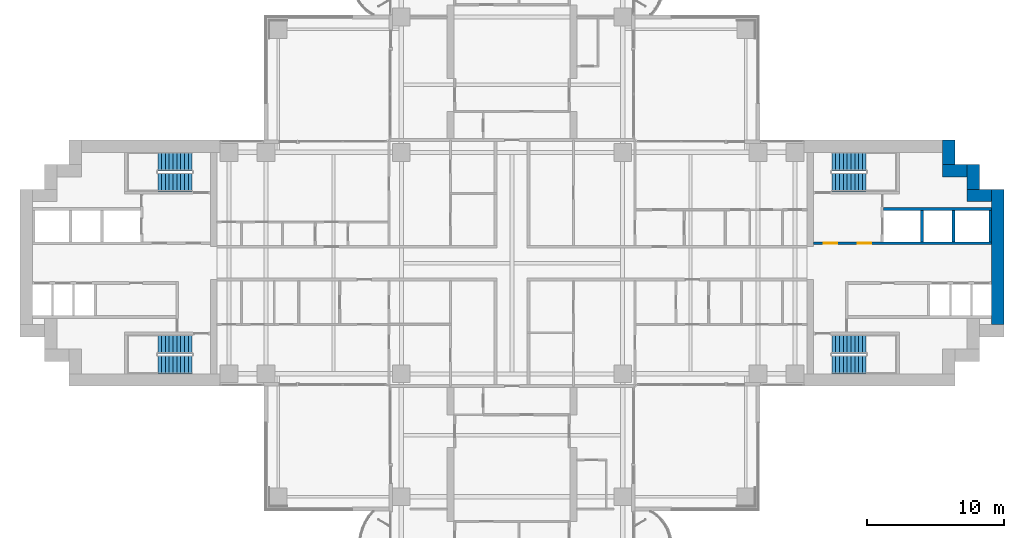
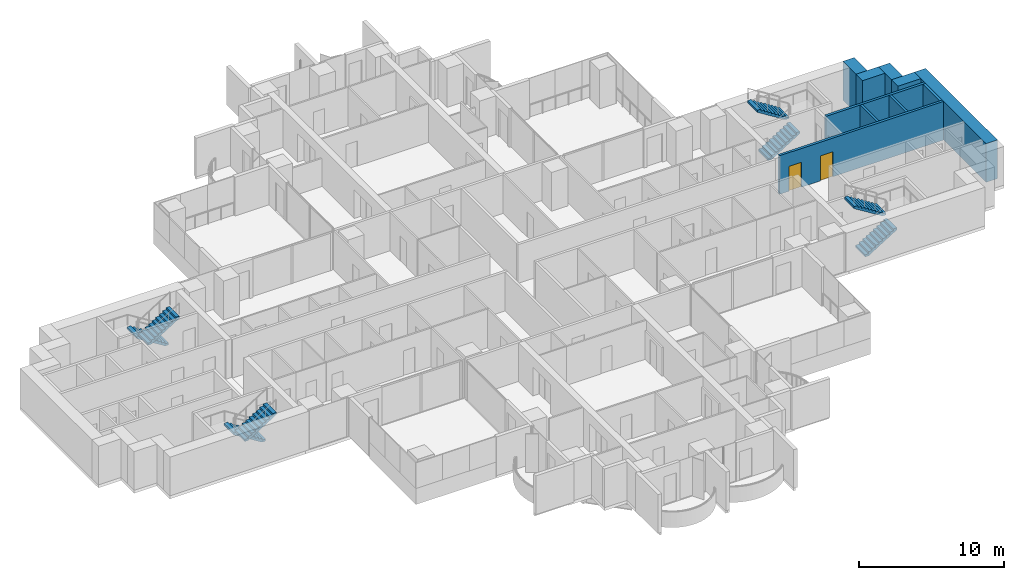
# One storey, part 16 of 21: 10 walls, 8 stair flights, 2 doors, 2 openings, 4 elements without a shape of their own.
"""IFC4 building model written with IfcOpenShell, lengths in metres."""

from ifc_helpers import new_model, si_unit, direction, frame, frame_2d, origin, place, context, subcontext, project, spatial, polyline, rectangle, outline, extrude, material, layer, layer_set, type_object, element, fill, aggregate, save


model = new_model("IFC4")

# Units and contexts
model_context = context("Model", 3, precision=1e-05, world=origin(), true_north=direction((0.0, 1.0)))
body_context = subcontext(model_context, "Body", "Model", "MODEL_VIEW")
ifc_project = project(units=[si_unit("LENGTHUNIT", "METRE"), si_unit("AREAUNIT", "SQUARE_METRE"), si_unit("VOLUMEUNIT", "CUBIC_METRE"), si_unit("PLANEANGLEUNIT", "RADIAN"), si_unit("MASSUNIT", "GRAM", prefix="KILO")], contexts=[model_context])

# Site, building, storey
site_placement = place(None, origin())
site = spatial("IfcSite", under=ifc_project, at=site_placement, CompositionType="ELEMENT")
building_placement = place(site_placement, origin())
building = spatial("IfcBuilding", under=site, at=building_placement, Name="Perihelion Cross Residences", CompositionType="ELEMENT")
storey_placement = place(building_placement, frame((0.0, 0.0, 54.0)))
storey = spatial("IfcBuildingStorey", under=building, at=storey_placement, Name="L10", CompositionType="ELEMENT", Elevation=54.0)

# Walls
ifc_material_1 = material(Name="Concrete C60/75", Category="concrete")
ifc_layer_1 = layer(ifc_material_1, 0.89990234375)
ifc_layer_set_1 = layer_set([ifc_layer_1], Name="Core wall, outer 900")
wall_type_1 = type_object("IfcWallType", Name="Core wall, outer 900", PredefinedType="SHEAR", material=ifc_layer_set_1)
wall_1_placement = place(storey_placement, frame((35.550048828125, -4.5, 0.0), z_axis=(0.0, 0.0, 1.0), x_axis=(0.0, 1.0, 0.0)))
element("IfcWall", 1, at=wall_1_placement, inside=storey, type_object=wall_type_1, Name="East core core wall, outer", PredefinedType="SHEAR", context=body_context, shape_type="SweptSolid", body=[
    extrude(rectangle(XDim=9.89990234375, YDim=0.89990234375, at=frame_2d((4.949951171875, 0.0))), origin(), (0.0, 0.0, 1.0), 3.25),
])
for number, where, z_axis, x_axis, name in (
    (2, (33.300048828125, 4.949951171875, 0.0), (0.0, 0.0, 1.0), (1.0, 0.0, 0.0), "East core core wall, outer"),
    (3, (33.75, 5.39990234375, 0.0), (0.0, 0.0, 1.0), (0.0, 1.0, 0.0), "East core core wall, outer"),
    (4, (31.5, 6.75, 0.0), (0.0, 0.0, 1.0), (1.0, 0.0, 0.0), "East core core wall, outer"),
    (5, (31.949951171875, 7.199951171875, 0.0), (0.0, 0.0, 1.0), (0.0, 1.0, 0.0), "East core core wall, outer"),
):
    element("IfcWall", number, at=place(storey_placement, frame(where, z_axis=z_axis, x_axis=x_axis)), inside=storey, type_object=wall_type_1, Name=name, PredefinedType="SHEAR", context=body_context, shape_type="SweptSolid", body=[
        extrude(rectangle(XDim=1.800048828125, YDim=0.89990234375, at=frame_2d((0.89990234375, 0.0))), origin(), (0.0, 0.0, 1.0), 3.25),
    ])

# Wall, openings, doors
ifc_material_2 = material(Name="Concrete C50/60", Category="concrete")
ifc_layer_2 = layer(ifc_material_2, 0.199951171875)
ifc_layer_set_2 = layer_set([ifc_layer_2], Name="Shaft wall 200")
wall_type_2 = type_object("IfcWallType", Name="Shaft wall 200", PredefinedType="SOLIDWALL", material=ifc_layer_set_2)
wall_2_placement = place(storey_placement, frame((22.050048828125, 1.449951171875, 0.0), z_axis=(0.0, 0.0, 1.0), x_axis=(1.0, 0.0, 0.0)))
wall_2 = element("IfcWall", 6, at=wall_2_placement, inside=storey, type_object=wall_type_2, Name="East core shaft wall", PredefinedType="SOLIDWALL", context=body_context, shape_type="SweptSolid", body=[
    extrude(rectangle(XDim=13.050048828125, YDim=0.199951171875, at=frame_2d((6.52490234375, 0.0))), origin(), (0.0, 0.0, 1.0), 3.25),
])
opening_1_placement = place(wall_2_placement, frame((0.75, 0.0, 0.0)))
opening_1 = element("IfcOpeningElement", 7, at=opening_1_placement, cuts=wall_2, Name="Opening L10.C07", PredefinedType="OPENING", context=body_context, shape_type="SweptSolid", body=[
    extrude(rectangle(XDim=1.0, YDim=2.10009765625, at=frame_2d((0.5, 1.050048828125))), frame((0.0, 0.10986328125, 0.0), z_axis=(0.0, -1.0, 0.0), x_axis=(1.0, 0.0, 0.0)), (0.0, 0.0, 1.0), 0.219970703125),
])
opening_2_placement = place(wall_2_placement, frame((3.25, 0.0, 0.0)))
opening_2 = element("IfcOpeningElement", 8, at=opening_2_placement, cuts=wall_2, Name="Opening L10.C09", PredefinedType="OPENING", context=body_context, shape_type="SweptSolid", body=[
    extrude(rectangle(XDim=1.0, YDim=2.10009765625, at=frame_2d((0.5, 1.050048828125))), frame((0.0, 0.10986328125, 0.0), z_axis=(0.0, -1.0, 0.0), x_axis=(1.0, 0.0, 0.0)), (0.0, 0.0, 1.0), 0.219970703125),
])
ifc_material_3 = material(Name="Steel, powder coated", Category="steel")
door_type = type_object("IfcDoorType", Name="Lobby door 1000", OperationType="SINGLE_SWING_LEFT", PredefinedType="DOOR", material=ifc_material_3)
door_1_placement = place(opening_1_placement, origin())
door_1 = element("IfcDoor", 9, at=door_1_placement, inside=storey, type_object=door_type, Name="East core firefighting lobby door", OperationType="SINGLE_SWING_LEFT", OverallHeight=2.10009765625, OverallWidth=1.0, PredefinedType="DOOR", context=body_context, shape_type="SweptSolid", body=[
    extrude(rectangle(XDim=1.0, YDim=2.10009765625, at=frame_2d((0.5, 1.050048828125))), frame((0.0, 0.02490234375, 0.0), z_axis=(0.0, -1.0, 0.0), x_axis=(1.0, 0.0, 0.0)), (0.0, 0.0, 1.0), 0.050048828125),
])
fill(opening_1, door_1)
door_2_placement = place(opening_2_placement, origin())
door_2 = element("IfcDoor", 10, at=door_2_placement, inside=storey, type_object=door_type, Name="East core firefighting lobby door", OperationType="SINGLE_SWING_LEFT", OverallHeight=2.10009765625, OverallWidth=1.0, PredefinedType="DOOR", context=body_context, shape_type="SweptSolid", body=[
    extrude(rectangle(XDim=1.0, YDim=2.10009765625, at=frame_2d((0.5, 1.050048828125))), frame((0.0, 0.02490234375, 0.0), z_axis=(0.0, -1.0, 0.0), x_axis=(1.0, 0.0, 0.0)), (0.0, 0.0, 1.0), 0.050048828125),
])
fill(opening_2, door_2)

# Walls
wall_3_placement = place(storey_placement, frame((27.199951171875, 3.949951171875, 0.0), z_axis=(0.0, 0.0, 1.0), x_axis=(1.0, 0.0, 0.0)))
element("IfcWall", 11, at=wall_3_placement, inside=storey, type_object=wall_type_2, Name="East core shaft wall", PredefinedType="SOLIDWALL", context=body_context, shape_type="SweptSolid", body=[
    extrude(rectangle(XDim=7.900146484375, YDim=0.199951171875, at=frame_2d((3.9501953125, 0.0))), origin(), (0.0, 0.0, 1.0), 3.25),
])
for number, where, z_axis, x_axis, name in (
    (12, (30.0, 1.550048828125, 0.0), (0.0, 0.0, 1.0), (0.0, 1.0, 0.0), "East core shaft wall"),
    (13, (32.300048828125, 1.550048828125, 0.0), (0.0, 0.0, 1.0), (0.0, 1.0, 0.0), "East core shaft wall"),
    (14, (35.0, 1.550048828125, 0.0), (0.0, 0.0, 1.0), (0.0, 1.0, 0.0), "East core shaft wall"),
):
    element("IfcWall", number, at=place(storey_placement, frame(where, z_axis=z_axis, x_axis=x_axis)), inside=storey, type_object=wall_type_2, Name=name, PredefinedType="SOLIDWALL", context=body_context, shape_type="SweptSolid", body=[
        extrude(rectangle(XDim=2.300048828125, YDim=0.199951171875, at=frame_2d((1.14990234375, 0.0))), origin(), (0.0, 0.0, 1.0), 3.25),
    ])

# Stair, stair flights
ifc_material_4 = material(Name="Concrete C40/50", Category="concrete")
stair_type = type_object("IfcStairType", Name="Exit stair, half-turn", PredefinedType="HALF_TURN_STAIR", material=ifc_material_4)
stair_1_placement = place(storey_placement, origin())
stair_1 = element("IfcStair", 15, at=stair_1_placement, inside=storey, type_object=stair_type, Name="L10 East core exit stair 1", PredefinedType="HALF_TURN_STAIR")
ifc_material_5 = material(Name="Concrete C40/50", Category="concrete")
stair_flight_type = type_object("IfcStairFlightType", Name="Exit stair flight", PredefinedType="STRAIGHT", material=ifc_material_5)
stair_flight_1_placement = place(storey_placement, frame((23.39990234375, 5.925048828125, 0.0), z_axis=(0.0, 0.0, 1.0), x_axis=(1.0, 0.0, 0.0)))
stair_flight_1 = element("IfcStairFlight", 16, at=stair_flight_1_placement, type_object=stair_flight_type, Name="ST-E1 flight 1", NumberOfRisers=10, NumberOfTreads=9, PredefinedType="STRAIGHT", RiserHeight=0.175, TreadLength=0.28, context=body_context, shape_type="SweptSolid", body=[
    extrude(outline(polyline([(0.0, 0.0), (0.0, 0.175048828125), (0.280029296875, 0.175048828125), (0.280029296875, 0.35009765625), (0.56005859375, 0.35009765625), (0.56005859375, 0.52490234375), (0.840087890625, 0.52490234375), (0.840087890625, 0.699951171875), (1.1201171875, 0.699951171875), (1.1201171875, 0.875), (1.39990234375, 0.875), (1.39990234375, 1.050048828125), (1.679931640625, 1.050048828125), (1.679931640625, 1.22509765625), (1.9599609375, 1.22509765625), (1.9599609375, 1.39990234375), (2.239990234375, 1.39990234375), (2.239990234375, 1.574951171875), (2.52001953125, 1.574951171875), (2.52001953125, 1.75), (2.52001953125, 1.398193359375), (0.28271484375, 0.0), (0.0, 0.0)])), frame((0.0, 0.675048828125, 0.0), z_axis=(0.0, -1.0, 0.0), x_axis=(1.0, 0.0, 0.0)), (0.0, 0.0, 1.0), 1.35009765625),
])
stair_flight_2_placement = place(storey_placement, frame((25.919921875, 7.425048828125, 1.75), z_axis=(0.0, 0.0, 1.0), x_axis=(-1.0, 0.0, 0.0)))
stair_flight_2 = element("IfcStairFlight", 17, at=stair_flight_2_placement, type_object=stair_flight_type, Name="ST-E1 flight 2", NumberOfRisers=10, NumberOfTreads=9, PredefinedType="STRAIGHT", RiserHeight=0.175, TreadLength=0.28, context=body_context, shape_type="SweptSolid", body=[
    extrude(outline(polyline([(0.0, 0.0), (0.0, 0.175048828125), (0.280029296875, 0.175048828125), (0.280029296875, 0.35009765625), (0.56005859375, 0.35009765625), (0.56005859375, 0.52490234375), (0.840087890625, 0.52490234375), (0.840087890625, 0.699951171875), (1.1201171875, 0.699951171875), (1.1201171875, 0.875), (1.39990234375, 0.875), (1.39990234375, 1.050048828125), (1.679931640625, 1.050048828125), (1.679931640625, 1.22509765625), (1.9599609375, 1.22509765625), (1.9599609375, 1.39990234375), (2.239990234375, 1.39990234375), (2.239990234375, 1.574951171875), (2.52001953125, 1.574951171875), (2.52001953125, 1.75), (2.52001953125, 1.398193359375), (0.28271484375, 0.0), (0.0, 0.0)])), frame((0.0, 0.675048828125, 0.0), z_axis=(0.0, -1.0, 0.0), x_axis=(1.0, 0.0, 0.0)), (0.0, 0.0, 1.0), 1.35009765625),
])
aggregate(stair_1, [stair_flight_1, stair_flight_2])

stair_2_placement = place(storey_placement, origin())
stair_2 = element("IfcStair", 18, at=stair_2_placement, inside=storey, type_object=stair_type, Name="L10 East core exit stair 2", PredefinedType="HALF_TURN_STAIR")
stair_flight_3_placement = place(storey_placement, frame((23.39990234375, -7.425048828125, 0.0), z_axis=(0.0, 0.0, 1.0), x_axis=(1.0, 0.0, 0.0)))
stair_flight_3 = element("IfcStairFlight", 19, at=stair_flight_3_placement, type_object=stair_flight_type, Name="ST-E2 flight 1", NumberOfRisers=10, NumberOfTreads=9, PredefinedType="STRAIGHT", RiserHeight=0.175, TreadLength=0.28, context=body_context, shape_type="SweptSolid", body=[
    extrude(outline(polyline([(0.0, 0.0), (0.0, 0.175048828125), (0.280029296875, 0.175048828125), (0.280029296875, 0.35009765625), (0.56005859375, 0.35009765625), (0.56005859375, 0.52490234375), (0.840087890625, 0.52490234375), (0.840087890625, 0.699951171875), (1.1201171875, 0.699951171875), (1.1201171875, 0.875), (1.39990234375, 0.875), (1.39990234375, 1.050048828125), (1.679931640625, 1.050048828125), (1.679931640625, 1.22509765625), (1.9599609375, 1.22509765625), (1.9599609375, 1.39990234375), (2.239990234375, 1.39990234375), (2.239990234375, 1.574951171875), (2.52001953125, 1.574951171875), (2.52001953125, 1.75), (2.52001953125, 1.398193359375), (0.28271484375, 0.0), (0.0, 0.0)])), frame((0.0, 0.675048828125, 0.0), z_axis=(0.0, -1.0, 0.0), x_axis=(1.0, 0.0, 0.0)), (0.0, 0.0, 1.0), 1.35009765625),
])
stair_flight_4_placement = place(storey_placement, frame((25.919921875, -5.925048828125, 1.75), z_axis=(0.0, 0.0, 1.0), x_axis=(-1.0, 0.0, 0.0)))
stair_flight_4 = element("IfcStairFlight", 20, at=stair_flight_4_placement, type_object=stair_flight_type, Name="ST-E2 flight 2", NumberOfRisers=10, NumberOfTreads=9, PredefinedType="STRAIGHT", RiserHeight=0.175, TreadLength=0.28, context=body_context, shape_type="SweptSolid", body=[
    extrude(outline(polyline([(0.0, 0.0), (0.0, 0.175048828125), (0.280029296875, 0.175048828125), (0.280029296875, 0.35009765625), (0.56005859375, 0.35009765625), (0.56005859375, 0.52490234375), (0.840087890625, 0.52490234375), (0.840087890625, 0.699951171875), (1.1201171875, 0.699951171875), (1.1201171875, 0.875), (1.39990234375, 0.875), (1.39990234375, 1.050048828125), (1.679931640625, 1.050048828125), (1.679931640625, 1.22509765625), (1.9599609375, 1.22509765625), (1.9599609375, 1.39990234375), (2.239990234375, 1.39990234375), (2.239990234375, 1.574951171875), (2.52001953125, 1.574951171875), (2.52001953125, 1.75), (2.52001953125, 1.398193359375), (0.28271484375, 0.0), (0.0, 0.0)])), frame((0.0, 0.675048828125, 0.0), z_axis=(0.0, -1.0, 0.0), x_axis=(1.0, 0.0, 0.0)), (0.0, 0.0, 1.0), 1.35009765625),
])
aggregate(stair_2, [stair_flight_3, stair_flight_4])

stair_3_placement = place(storey_placement, origin())
stair_3 = element("IfcStair", 21, at=stair_3_placement, inside=storey, type_object=stair_type, Name="L10 West core exit stair 1", PredefinedType="HALF_TURN_STAIR")
stair_flight_5_placement = place(storey_placement, frame((-23.39990234375, 7.425048828125, 0.0), z_axis=(0.0, 0.0, 1.0), x_axis=(-1.0, 0.0, 0.0)))
stair_flight_5 = element("IfcStairFlight", 22, at=stair_flight_5_placement, type_object=stair_flight_type, Name="ST-W1 flight 1", NumberOfRisers=10, NumberOfTreads=9, PredefinedType="STRAIGHT", RiserHeight=0.175, TreadLength=0.28, context=body_context, shape_type="SweptSolid", body=[
    extrude(outline(polyline([(0.0, 0.0), (0.0, 0.175048828125), (0.280029296875, 0.175048828125), (0.280029296875, 0.35009765625), (0.56005859375, 0.35009765625), (0.56005859375, 0.52490234375), (0.840087890625, 0.52490234375), (0.840087890625, 0.699951171875), (1.1201171875, 0.699951171875), (1.1201171875, 0.875), (1.39990234375, 0.875), (1.39990234375, 1.050048828125), (1.679931640625, 1.050048828125), (1.679931640625, 1.22509765625), (1.9599609375, 1.22509765625), (1.9599609375, 1.39990234375), (2.239990234375, 1.39990234375), (2.239990234375, 1.574951171875), (2.52001953125, 1.574951171875), (2.52001953125, 1.75), (2.52001953125, 1.398193359375), (0.28271484375, 0.0), (0.0, 0.0)])), frame((0.0, 0.675048828125, 0.0), z_axis=(0.0, -1.0, 0.0), x_axis=(1.0, 0.0, 0.0)), (0.0, 0.0, 1.0), 1.35009765625),
])
stair_flight_6_placement = place(storey_placement, frame((-25.919921875, 5.925048828125, 1.75), z_axis=(0.0, 0.0, 1.0), x_axis=(1.0, 0.0, 0.0)))
stair_flight_6 = element("IfcStairFlight", 23, at=stair_flight_6_placement, type_object=stair_flight_type, Name="ST-W1 flight 2", NumberOfRisers=10, NumberOfTreads=9, PredefinedType="STRAIGHT", RiserHeight=0.175, TreadLength=0.28, context=body_context, shape_type="SweptSolid", body=[
    extrude(outline(polyline([(0.0, 0.0), (0.0, 0.175048828125), (0.280029296875, 0.175048828125), (0.280029296875, 0.35009765625), (0.56005859375, 0.35009765625), (0.56005859375, 0.52490234375), (0.840087890625, 0.52490234375), (0.840087890625, 0.699951171875), (1.1201171875, 0.699951171875), (1.1201171875, 0.875), (1.39990234375, 0.875), (1.39990234375, 1.050048828125), (1.679931640625, 1.050048828125), (1.679931640625, 1.22509765625), (1.9599609375, 1.22509765625), (1.9599609375, 1.39990234375), (2.239990234375, 1.39990234375), (2.239990234375, 1.574951171875), (2.52001953125, 1.574951171875), (2.52001953125, 1.75), (2.52001953125, 1.398193359375), (0.28271484375, 0.0), (0.0, 0.0)])), frame((0.0, 0.675048828125, 0.0), z_axis=(0.0, -1.0, 0.0), x_axis=(1.0, 0.0, 0.0)), (0.0, 0.0, 1.0), 1.35009765625),
])
aggregate(stair_3, [stair_flight_5, stair_flight_6])

stair_4_placement = place(storey_placement, origin())
stair_4 = element("IfcStair", 24, at=stair_4_placement, inside=storey, type_object=stair_type, Name="L10 West core exit stair 2", PredefinedType="HALF_TURN_STAIR")
stair_flight_7_placement = place(storey_placement, frame((-23.39990234375, -5.925048828125, 0.0), z_axis=(0.0, 0.0, 1.0), x_axis=(-1.0, 0.0, 0.0)))
stair_flight_7 = element("IfcStairFlight", 25, at=stair_flight_7_placement, type_object=stair_flight_type, Name="ST-W2 flight 1", NumberOfRisers=10, NumberOfTreads=9, PredefinedType="STRAIGHT", RiserHeight=0.175, TreadLength=0.28, context=body_context, shape_type="SweptSolid", body=[
    extrude(outline(polyline([(0.0, 0.0), (0.0, 0.175048828125), (0.280029296875, 0.175048828125), (0.280029296875, 0.35009765625), (0.56005859375, 0.35009765625), (0.56005859375, 0.52490234375), (0.840087890625, 0.52490234375), (0.840087890625, 0.699951171875), (1.1201171875, 0.699951171875), (1.1201171875, 0.875), (1.39990234375, 0.875), (1.39990234375, 1.050048828125), (1.679931640625, 1.050048828125), (1.679931640625, 1.22509765625), (1.9599609375, 1.22509765625), (1.9599609375, 1.39990234375), (2.239990234375, 1.39990234375), (2.239990234375, 1.574951171875), (2.52001953125, 1.574951171875), (2.52001953125, 1.75), (2.52001953125, 1.398193359375), (0.28271484375, 0.0), (0.0, 0.0)])), frame((0.0, 0.675048828125, 0.0), z_axis=(0.0, -1.0, 0.0), x_axis=(1.0, 0.0, 0.0)), (0.0, 0.0, 1.0), 1.35009765625),
])
stair_flight_8_placement = place(storey_placement, frame((-25.919921875, -7.425048828125, 1.75), z_axis=(0.0, 0.0, 1.0), x_axis=(1.0, 0.0, 0.0)))
stair_flight_8 = element("IfcStairFlight", 26, at=stair_flight_8_placement, type_object=stair_flight_type, Name="ST-W2 flight 2", NumberOfRisers=10, NumberOfTreads=9, PredefinedType="STRAIGHT", RiserHeight=0.175, TreadLength=0.28, context=body_context, shape_type="SweptSolid", body=[
    extrude(outline(polyline([(0.0, 0.0), (0.0, 0.175048828125), (0.280029296875, 0.175048828125), (0.280029296875, 0.35009765625), (0.56005859375, 0.35009765625), (0.56005859375, 0.52490234375), (0.840087890625, 0.52490234375), (0.840087890625, 0.699951171875), (1.1201171875, 0.699951171875), (1.1201171875, 0.875), (1.39990234375, 0.875), (1.39990234375, 1.050048828125), (1.679931640625, 1.050048828125), (1.679931640625, 1.22509765625), (1.9599609375, 1.22509765625), (1.9599609375, 1.39990234375), (2.239990234375, 1.39990234375), (2.239990234375, 1.574951171875), (2.52001953125, 1.574951171875), (2.52001953125, 1.75), (2.52001953125, 1.398193359375), (0.28271484375, 0.0), (0.0, 0.0)])), frame((0.0, 0.675048828125, 0.0), z_axis=(0.0, -1.0, 0.0), x_axis=(1.0, 0.0, 0.0)), (0.0, 0.0, 1.0), 1.35009765625),
])
aggregate(stair_4, [stair_flight_7, stair_flight_8])

save(model, "model.ifc")
